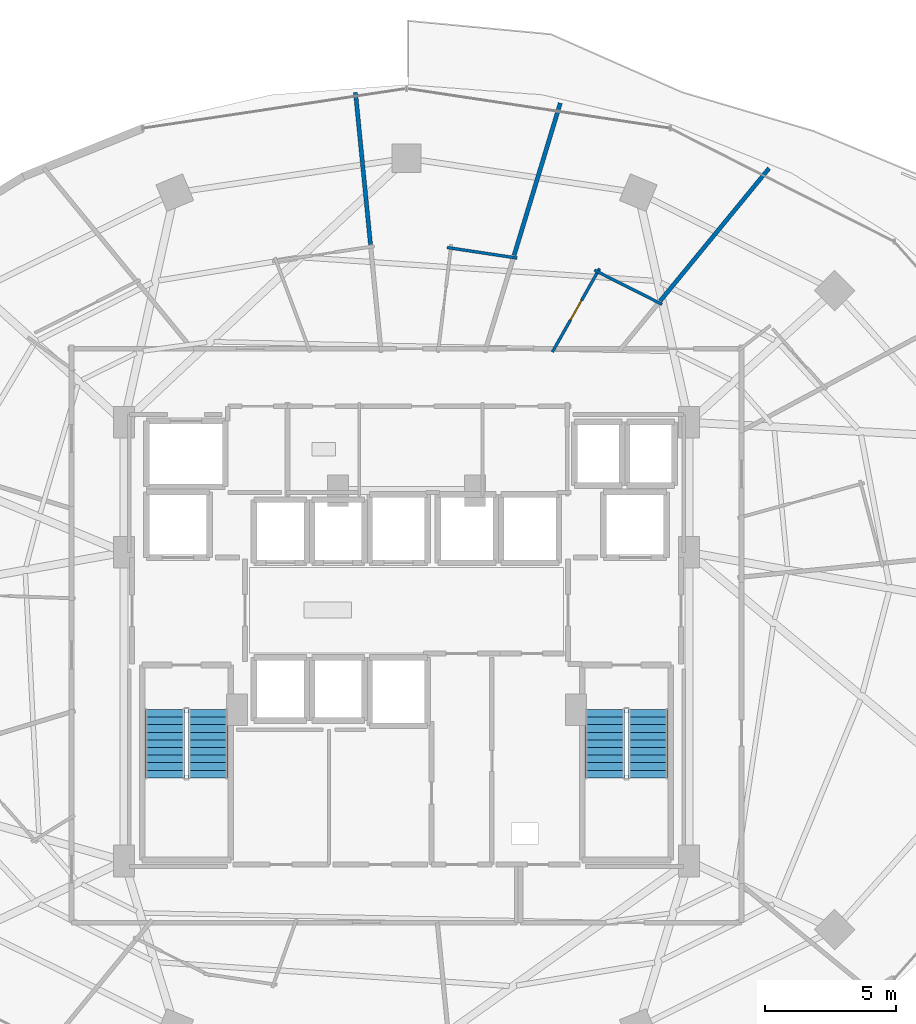
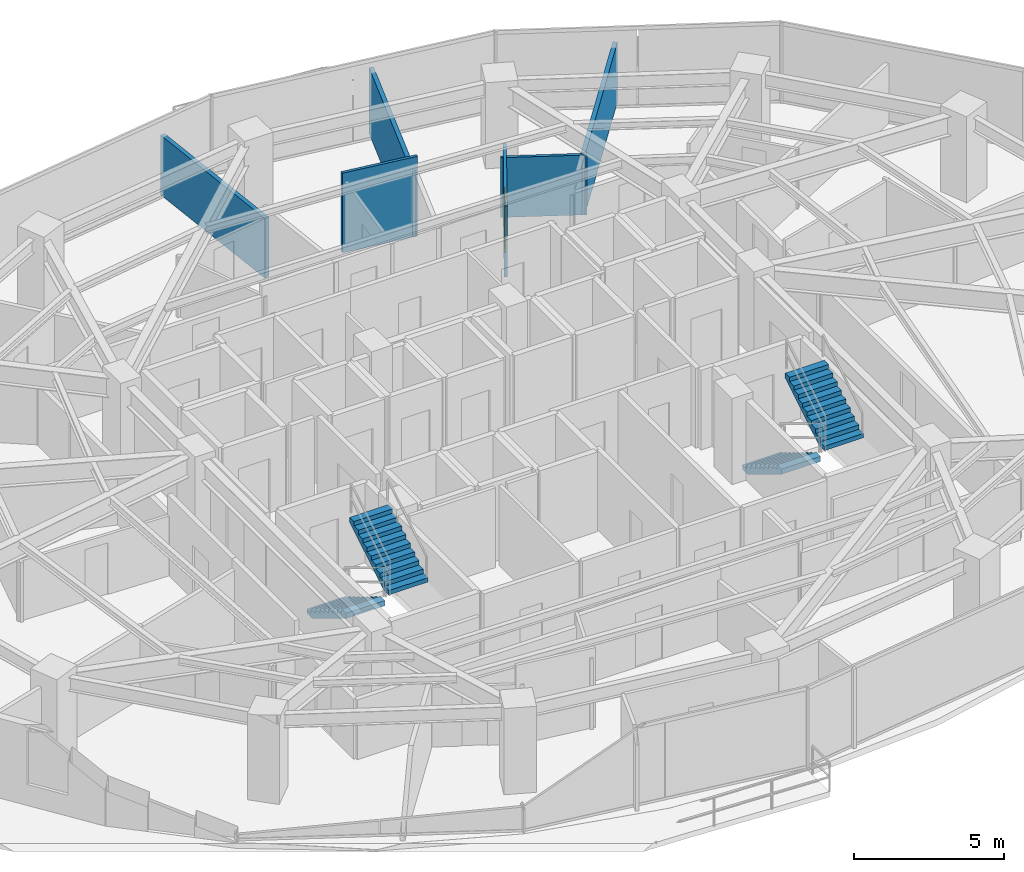
# One storey, part 26 of 29: 6 walls, 4 stair flights, 1 door, 1 opening, 2 elements without a shape of their own.
"""IFC4 building model written with IfcOpenShell, lengths in metres."""

from ifc_helpers import new_model, si_unit, direction, frame, frame_2d, origin, place, context, subcontext, project, spatial, polyline, rectangle, outline, extrude, material, layer, layer_set, type_object, element, fill, aggregate, save


model = new_model("IFC4")

# Units and contexts
model_context = context("Model", 3, precision=1e-05, world=origin(), true_north=direction((0.0, 1.0)))
body_context = subcontext(model_context, "Body", "Model", "MODEL_VIEW")
ifc_project = project(units=[si_unit("LENGTHUNIT", "METRE"), si_unit("AREAUNIT", "SQUARE_METRE"), si_unit("VOLUMEUNIT", "CUBIC_METRE"), si_unit("PLANEANGLEUNIT", "RADIAN"), si_unit("MASSUNIT", "GRAM", prefix="KILO")], contexts=[model_context])

# Site, building, storey
site_placement = place(None, origin())
site = spatial("IfcSite", under=ifc_project, at=site_placement, CompositionType="ELEMENT")
building_placement = place(site_placement, origin())
building = spatial("IfcBuilding", under=site, at=building_placement, Name="Vorneva Point Tower", CompositionType="ELEMENT")
storey_placement = place(building_placement, frame((0.0, 0.0, 117.300048828125)))
storey = spatial("IfcBuildingStorey", under=building, at=storey_placement, Name="L31", CompositionType="ELEMENT", Elevation=117.300048828125)

# Wall, opening, door
ifc_material_1 = material(Name="Fire-rated acoustic gypsum stud partition", Category="gypsum")
ifc_layer_1 = layer(ifc_material_1, 0.110107421875)
ifc_layer_set_1 = layer_set([ifc_layer_1], Name="Fire-rated acoustic gypsum stud partition")
wall_type_1 = type_object("IfcWallType", Name="WL-PART-110", PredefinedType="PARTITIONING", material=ifc_layer_set_1)
wall_1_placement = place(storey_placement, frame((43.55517578125, 35.828125, 0.0), z_axis=(0.0, 0.0, 1.0), x_axis=(0.492041800526, 0.870571574619, 0.0)))
wall_1 = element("IfcWall", 1, at=wall_1_placement, inside=storey, type_object=wall_type_1, Name="L31 Interior Partition 059", PredefinedType="PARTITIONING", context=body_context, shape_type="SweptSolid", body=[
    extrude(rectangle(XDim=3.6435546875, YDim=0.110107421875, at=frame_2d((1.82177734375, 0.0))), origin(), (0.0, 0.0, 1.0), 2.8740234375),
])
opening_placement = place(wall_1_placement, frame((1.396728515625, 0.0, 0.0)))
opening = element("IfcOpeningElement", 2, at=opening_placement, cuts=wall_1, Name="Opening ID-02", PredefinedType="OPENING", context=body_context, shape_type="SweptSolid", body=[
    extrude(rectangle(XDim=0.85009765625, YDim=2.10009765625, at=frame_2d((0.425048828125, 1.050048828125))), frame((0.0, 0.06982421875, 0.0), z_axis=(0.0, -1.0, 0.0), x_axis=(1.0, 0.0, 0.0)), (0.0, 0.0, 1.0), 0.139892578125),
])
ifc_material_2 = material(Name="Engineered oak fire-rated door leaf", Category="wood")
door_type = type_object("IfcDoorType", Name="DR-BATH-850", OperationType="NOTDEFINED", PredefinedType="DOOR", material=ifc_material_2)
door_placement = place(opening_placement, origin())
door = element("IfcDoor", 3, at=door_placement, inside=storey, type_object=door_type, Name="L31 Door Twin Guest Room L31-03 / En-Suite Bathroom L31-03", OperationType="SINGLE_SWING_LEFT", OverallHeight=2.10009765625, OverallWidth=0.85009765625, PredefinedType="DOOR", context=body_context, shape_type="SweptSolid", body=[
    extrude(rectangle(XDim=0.85009765625, YDim=2.10009765625, at=frame_2d((0.425048828125, 1.050048828125))), frame((0.0, 0.02490234375, 0.0), z_axis=(0.0, -1.0, 0.0), x_axis=(1.0, 0.0, 0.0)), (0.0, 0.0, 1.0), 0.050048828125),
])
fill(opening, door)

# Walls
wall_2_placement = place(storey_placement, frame((45.154052734375, 38.941162109375, 0.0), z_axis=(0.0, 0.0, 1.0), x_axis=(0.892575386964, -0.450898190932, 0.0)))
element("IfcWall", 4, at=wall_2_placement, inside=storey, type_object=wall_type_1, Name="L31 Interior Partition 060", PredefinedType="PARTITIONING", context=body_context, shape_type="SweptSolid", body=[
    extrude(rectangle(XDim=2.885986328125, YDim=0.110107421875, at=frame_2d((1.44287109375, 0.0))), origin(), (0.0, 0.0, 1.0), 2.431884765625),
])
wall_3_placement = place(storey_placement, frame((39.547607421875, 39.802734375, 0.0), z_axis=(0.0, 0.0, 1.0), x_axis=(0.988870418897, -0.148779348804, 0.0)))
element("IfcWall", 5, at=wall_3_placement, inside=storey, type_object=wall_type_1, Name="L31 Interior Partition 064", PredefinedType="PARTITIONING", context=body_context, shape_type="SweptSolid", body=[
    extrude(rectangle(XDim=2.69287109375, YDim=0.110107421875, at=frame_2d((1.346435546875, 0.0))), origin(), (0.0, 0.0, 1.0), 3.239990234375),
])
ifc_layer_2 = layer(ifc_material_1, 0.159912109375)
ifc_layer_set_2 = layer_set([ifc_layer_2], Name="Fire-rated acoustic gypsum stud partition")
wall_type_2 = type_object("IfcWallType", Name="WL-PART-160", PredefinedType="PARTITIONING", material=ifc_layer_set_2)
wall_4_placement = place(storey_placement, frame((51.802001953125, 42.818115234375, 0.0), z_axis=(0.0, 0.0, 1.0), x_axis=(-0.634361991629, -0.773036133422, 0.0)))
element("IfcWall", 6, at=wall_4_placement, inside=storey, type_object=wall_type_2, Name="L31 Interior Partition 057", PredefinedType="PARTITIONING", context=body_context, shape_type="SweptSolid", body=[
    extrude(rectangle(XDim=6.677734375, YDim=0.159912109375, at=frame_2d((3.3388671875, 0.0))), origin(), (0.0, 0.0, 1.0), 2.431884765625),
])
wall_5_placement = place(storey_placement, frame((43.85498046875, 45.300048828125, 0.0), z_axis=(0.0, 0.0, 1.0), x_axis=(-0.290379913604, -0.956911440926, 0.0)))
element("IfcWall", 7, at=wall_5_placement, inside=storey, type_object=wall_type_2, Name="L31 Interior Partition 061", PredefinedType="PARTITIONING", context=body_context, shape_type="SweptSolid", body=[
    extrude(rectangle(XDim=6.202392578125, YDim=0.159912109375, at=frame_2d((3.10107421875, 0.0))), origin(), (0.0, 0.0, 1.0), 2.677001953125),
])
wall_6_placement = place(storey_placement, frame((36.05908203125, 45.705078125, 0.0), z_axis=(0.0, 0.0, 1.0), x_axis=(0.098100995962, -0.995176464046, 0.0)))
element("IfcWall", 8, at=wall_6_placement, inside=storey, type_object=wall_type_2, Name="L31 Interior Partition 065", PredefinedType="PARTITIONING", context=body_context, shape_type="SweptSolid", body=[
    extrude(rectangle(XDim=5.962890625, YDim=0.159912109375, at=frame_2d((2.9814453125, 0.0))), origin(), (0.0, 0.0, 1.0), 2.431884765625),
])

# Stair, stair flights
ifc_material_3 = material(Name="Concrete B50 (C40/50)", Category="concrete")
stair_type = type_object("IfcStairType", Name="ST-DOG-1500", PredefinedType="HALF_TURN_STAIR", material=ifc_material_3)
stair_1_placement = place(storey_placement, origin())
stair_1 = element("IfcStair", 9, at=stair_1_placement, inside=storey, type_object=stair_type, Name="L31 ST1", PredefinedType="HALF_TURN_STAIR")
stair_flight_type = type_object("IfcStairFlightType", Name="STF-1500", PredefinedType="STRAIGHT", material=ifc_material_3)
stair_flight_1_placement = place(storey_placement, frame((28.800048828125, 22.219970703125, 0.0), z_axis=(0.0, 0.0, 1.0), x_axis=(0.0, -1.0, 0.0)))
stair_flight_1 = element("IfcStairFlight", 10, at=stair_flight_1_placement, type_object=stair_flight_type, Name="ST1 flight 1", NumberOfRisers=10, NumberOfTreads=9, PredefinedType="STRAIGHT", RiserHeight=0.175, TreadLength=0.29, context=body_context, shape_type="SweptSolid", body=[
    extrude(outline(polyline([(0.0, 0.0), (0.0, 0.175048828125), (0.2900390625, 0.175048828125), (0.2900390625, 0.35009765625), (0.580078125, 0.35009765625), (0.580078125, 0.52490234375), (0.8701171875, 0.52490234375), (0.8701171875, 0.699951171875), (1.159912109375, 0.699951171875), (1.159912109375, 0.875), (1.449951171875, 0.875), (1.449951171875, 1.050048828125), (1.739990234375, 1.050048828125), (1.739990234375, 1.22509765625), (2.030029296875, 1.22509765625), (2.030029296875, 1.39990234375), (2.320068359375, 1.39990234375), (2.320068359375, 1.574951171875), (2.610107421875, 1.574951171875), (2.610107421875, 1.75), (2.610107421875, 1.36474609375), (0.34814453125, 0.0), (0.0, 0.0)])), frame((0.0, 0.75, 0.0), z_axis=(0.0, -1.0, 0.0), x_axis=(1.0, 0.0, 0.0)), (0.0, 0.0, 1.0), 1.5),
])
stair_flight_2_placement = place(storey_placement, frame((30.449951171875, 19.610107421875, 1.75), z_axis=(0.0, 0.0, 1.0), x_axis=(0.0, 1.0, 0.0)))
stair_flight_2 = element("IfcStairFlight", 11, at=stair_flight_2_placement, type_object=stair_flight_type, Name="ST1 flight 2", NumberOfRisers=10, NumberOfTreads=9, PredefinedType="STRAIGHT", RiserHeight=0.175, TreadLength=0.29, context=body_context, shape_type="SweptSolid", body=[
    extrude(outline(polyline([(0.0, 0.0), (0.0, 0.175048828125), (0.2900390625, 0.175048828125), (0.2900390625, 0.35009765625), (0.580078125, 0.35009765625), (0.580078125, 0.52490234375), (0.8701171875, 0.52490234375), (0.8701171875, 0.699951171875), (1.159912109375, 0.699951171875), (1.159912109375, 0.875), (1.449951171875, 0.875), (1.449951171875, 1.050048828125), (1.739990234375, 1.050048828125), (1.739990234375, 1.22509765625), (2.030029296875, 1.22509765625), (2.030029296875, 1.39990234375), (2.320068359375, 1.39990234375), (2.320068359375, 1.574951171875), (2.610107421875, 1.574951171875), (2.610107421875, 1.75), (2.610107421875, 1.36474609375), (0.34814453125, 0.0), (0.0, 0.0)])), frame((0.0, 0.75, 0.0), z_axis=(0.0, -1.0, 0.0), x_axis=(1.0, 0.0, 0.0)), (0.0, 0.0, 1.0), 1.5),
])
aggregate(stair_1, [stair_flight_1, stair_flight_2])

stair_2_placement = place(storey_placement, origin())
stair_2 = element("IfcStair", 12, at=stair_2_placement, inside=storey, type_object=stair_type, Name="L31 ST2", PredefinedType="HALF_TURN_STAIR")
stair_flight_3_placement = place(storey_placement, frame((45.550048828125, 22.219970703125, 0.0), z_axis=(0.0, 0.0, 1.0), x_axis=(0.0, -1.0, 0.0)))
stair_flight_3 = element("IfcStairFlight", 13, at=stair_flight_3_placement, type_object=stair_flight_type, Name="ST2 flight 1", NumberOfRisers=10, NumberOfTreads=9, PredefinedType="STRAIGHT", RiserHeight=0.175, TreadLength=0.29, context=body_context, shape_type="SweptSolid", body=[
    extrude(outline(polyline([(0.0, 0.0), (0.0, 0.175048828125), (0.2900390625, 0.175048828125), (0.2900390625, 0.35009765625), (0.580078125, 0.35009765625), (0.580078125, 0.52490234375), (0.8701171875, 0.52490234375), (0.8701171875, 0.699951171875), (1.159912109375, 0.699951171875), (1.159912109375, 0.875), (1.449951171875, 0.875), (1.449951171875, 1.050048828125), (1.739990234375, 1.050048828125), (1.739990234375, 1.22509765625), (2.030029296875, 1.22509765625), (2.030029296875, 1.39990234375), (2.320068359375, 1.39990234375), (2.320068359375, 1.574951171875), (2.610107421875, 1.574951171875), (2.610107421875, 1.75), (2.610107421875, 1.36474609375), (0.34814453125, 0.0), (0.0, 0.0)])), frame((0.0, 0.75, 0.0), z_axis=(0.0, -1.0, 0.0), x_axis=(1.0, 0.0, 0.0)), (0.0, 0.0, 1.0), 1.5),
])
stair_flight_4_placement = place(storey_placement, frame((47.199951171875, 19.610107421875, 1.75), z_axis=(0.0, 0.0, 1.0), x_axis=(0.0, 1.0, 0.0)))
stair_flight_4 = element("IfcStairFlight", 14, at=stair_flight_4_placement, type_object=stair_flight_type, Name="ST2 flight 2", NumberOfRisers=10, NumberOfTreads=9, PredefinedType="STRAIGHT", RiserHeight=0.175, TreadLength=0.29, context=body_context, shape_type="SweptSolid", body=[
    extrude(outline(polyline([(0.0, 0.0), (0.0, 0.175048828125), (0.2900390625, 0.175048828125), (0.2900390625, 0.35009765625), (0.580078125, 0.35009765625), (0.580078125, 0.52490234375), (0.8701171875, 0.52490234375), (0.8701171875, 0.699951171875), (1.159912109375, 0.699951171875), (1.159912109375, 0.875), (1.449951171875, 0.875), (1.449951171875, 1.050048828125), (1.739990234375, 1.050048828125), (1.739990234375, 1.22509765625), (2.030029296875, 1.22509765625), (2.030029296875, 1.39990234375), (2.320068359375, 1.39990234375), (2.320068359375, 1.574951171875), (2.610107421875, 1.574951171875), (2.610107421875, 1.75), (2.610107421875, 1.36474609375), (0.34814453125, 0.0), (0.0, 0.0)])), frame((0.0, 0.75, 0.0), z_axis=(0.0, -1.0, 0.0), x_axis=(1.0, 0.0, 0.0)), (0.0, 0.0, 1.0), 1.5),
])
aggregate(stair_2, [stair_flight_3, stair_flight_4])

save(model, "model.ifc")
